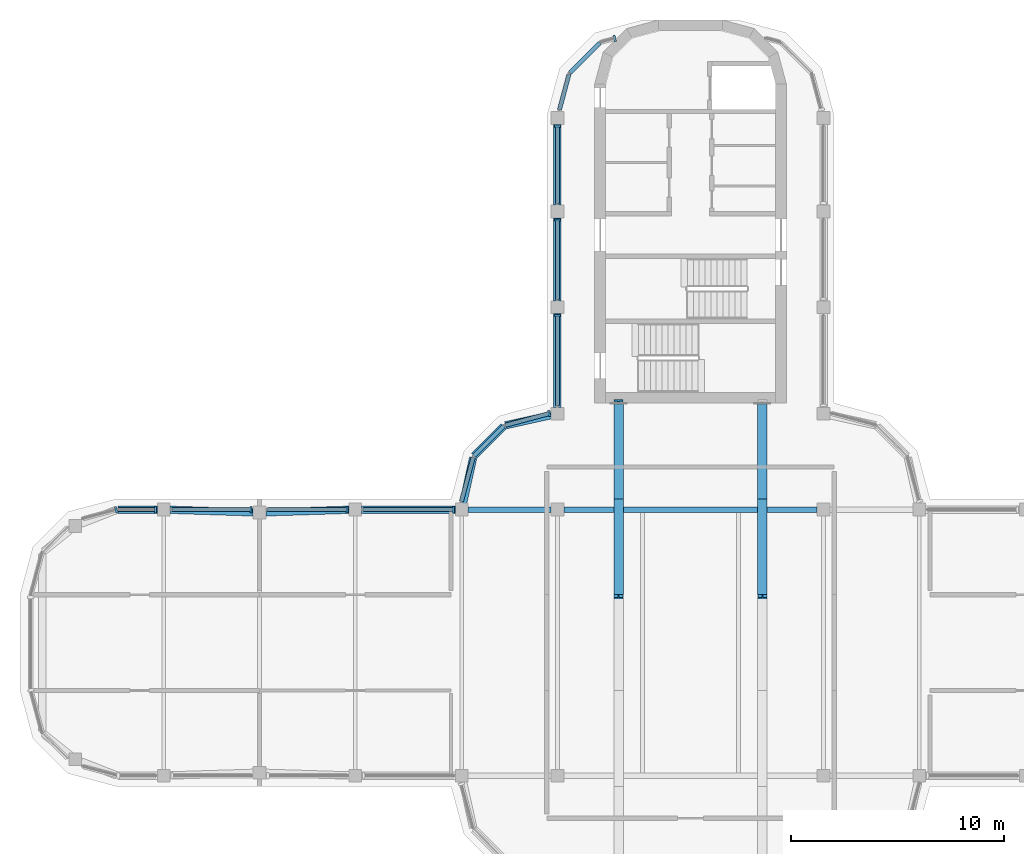
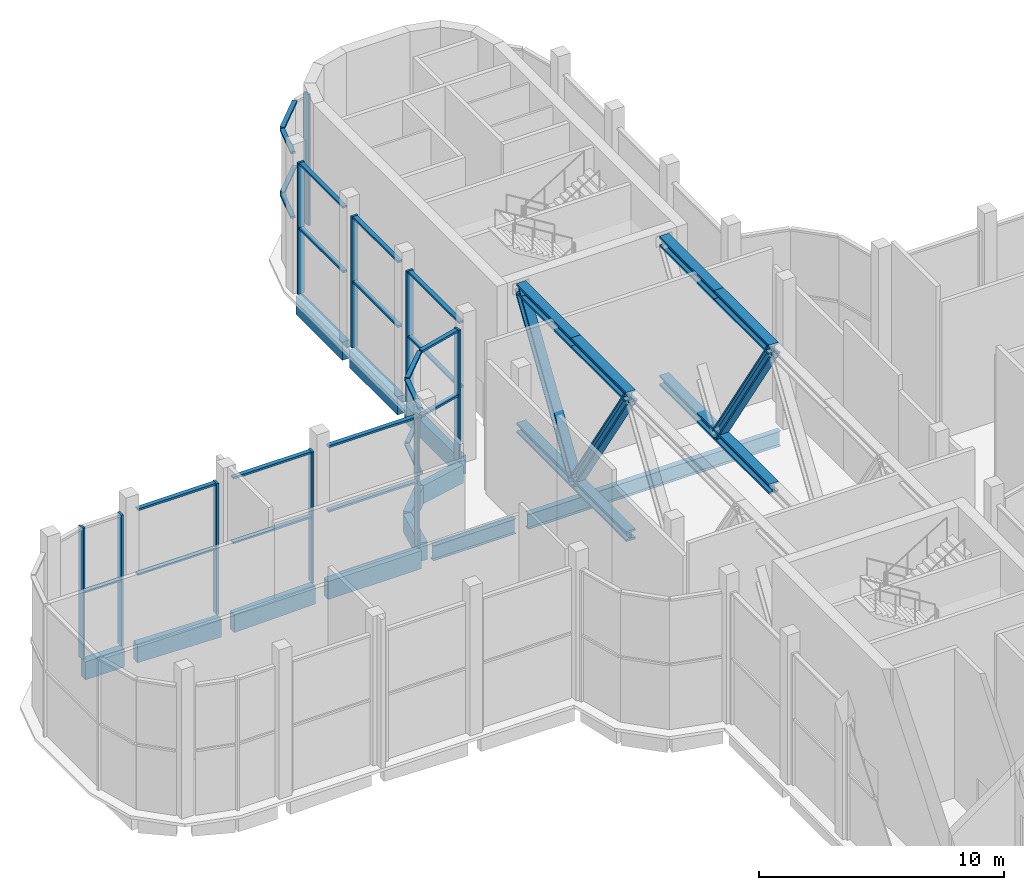
# One storey, part 5 of 15: 44 members, 12 beams, 9 elements without a shape of their own.
"""IFC4 building model written with IfcOpenShell, lengths in metres."""

from ifc_helpers import new_model, si_unit, direction, frame, origin, origin_2d, place, context, subcontext, project, spatial, polyline, rectangle, i_section, outline, extrude, source, transform, mapped, material, material_profile, profile_set, type_object, element, aggregate, save


model = new_model("IFC4")

# Units and contexts
model_context = context("Model", 3, precision=1e-05, world=origin(), true_north=direction((0.0, 1.0)))
body_context = subcontext(model_context, "Body", "Model", "MODEL_VIEW")
ifc_project = project(units=[si_unit("LENGTHUNIT", "METRE"), si_unit("AREAUNIT", "SQUARE_METRE"), si_unit("VOLUMEUNIT", "CUBIC_METRE"), si_unit("PLANEANGLEUNIT", "RADIAN"), si_unit("MASSUNIT", "GRAM", prefix="KILO")], contexts=[model_context])

# Site, building, storey
site_placement = place(None, origin())
site = spatial("IfcSite", under=ifc_project, at=site_placement, CompositionType="ELEMENT")
building_placement = place(site_placement, origin())
building = spatial("IfcBuilding", under=site, at=building_placement, Name="Zarbagh Exchange Tower", CompositionType="ELEMENT")
storey_placement = place(building_placement, frame((0.0, 0.0, 284.0)))
storey = spatial("IfcBuildingStorey", under=building, at=storey_placement, Name="L70", CompositionType="ELEMENT", Elevation=284.0)

# Beams
ifc_material_1 = material(Name="Steel ASTM A992 Gr 50", Category="steel")
ifc_material_profile_1 = material_profile(ifc_material_1, i_section(OverallWidth=0.26416015625, OverallDepth=0.749267578125, WebThickness=0.011962890625, FlangeThickness=0.015380859375, at=origin_2d()), Name="W30X90")
ifc_profile_set_1 = profile_set([ifc_material_profile_1], Name="Steel ASTM A992 Gr 50")
beam_type_1 = type_object("IfcBeamType", Name="Floor girder W30X90", PredefinedType="BEAM", material=ifc_profile_set_1)
beam_1_placement = place(storey_placement, frame((-10.449951171875, 6.25, -0.524658203125), z_axis=(1.0, 0.0, 0.0), x_axis=(0.0, 1.0, 0.0)))
element("IfcBeam", 1, at=beam_1_placement, inside=storey, type_object=beam_type_1, Name="Steel girder", PredefinedType="BEAM", context=body_context, shape_type="SweptSolid", body=[
    extrude(i_section(OverallWidth=0.26416015625, OverallDepth=0.749267578125, WebThickness=0.011962890625, FlangeThickness=0.015380859375, at=origin_2d()), origin(), (0.0, 0.0, 1.0), 3.89990234375),
])
beam_2_placement = place(storey_placement, frame((-5.949951171875, 6.25, -0.524658203125), z_axis=(1.0, 0.0, 0.0), x_axis=(0.0, 1.0, 0.0)))
element("IfcBeam", 2, at=beam_2_placement, inside=storey, type_object=beam_type_1, Name="Steel girder", PredefinedType="BEAM", context=body_context, shape_type="SweptSolid", body=[
    extrude(i_section(OverallWidth=0.26416015625, OverallDepth=0.749267578125, WebThickness=0.011962890625, FlangeThickness=0.015380859375, at=origin_2d()), origin(), (0.0, 0.0, 1.0), 11.89990234375),
])
ifc_material_2 = material(Name="Concrete C40/50", Category="concrete")
ifc_material_profile_2 = material_profile(ifc_material_2, rectangle(XDim=0.35009765625, YDim=0.89990234375, at=origin_2d()), Name="RC spandrel beam 350 x 900 C40/50")
ifc_profile_set_2 = profile_set([ifc_material_profile_2], Name="Concrete C40/50")
beam_type_2 = type_object("IfcBeamType", Name="RC spandrel beam 350 x 900 C40/50", PredefinedType="SPANDREL", material=ifc_profile_set_2)
beam_3_placement = place(storey_placement, frame((-26.90087890625, 6.25, -0.60009765625), z_axis=(1.0, 0.0, 0.0), x_axis=(0.0, 1.0, 0.0)))
element("IfcBeam", 3, at=beam_3_placement, inside=storey, type_object=beam_type_2, Name="RC spandrel beam", PredefinedType="SPANDREL", context=body_context, shape_type="SweptSolid", body=[
    extrude(rectangle(XDim=0.35009765625, YDim=0.89990234375, at=origin_2d()), origin(), (0.0, 0.0, 1.0), 1.850830078125),
])
for number, where, z_axis, x_axis, name in (
    (4, (-24.4501953125, 6.24072265625, -0.60009765625), (0.999516460907, -0.031094121249, 0.0), (0.031094121249, 0.999516460907, 0.0), "RC spandrel beam"),
    (5, (-19.9501953125, 6.119384765625, -0.60009765625), (0.999516460907, 0.031094121249, 0.0), (-0.031094121249, 0.999516460907, 0.0), "RC spandrel beam"),
):
    element("IfcBeam", number, at=place(storey_placement, frame(where, z_axis=z_axis, x_axis=x_axis)), inside=storey, type_object=beam_type_2, Name=name, PredefinedType="SPANDREL", context=body_context, shape_type="SweptSolid", body=[
        extrude(rectangle(XDim=0.35009765625, YDim=0.89990234375, at=origin_2d()), origin(), (0.0, 0.0, 1.0), 3.90234375),
    ])
beam_4_placement = place(storey_placement, frame((-15.449951171875, 6.25, -0.60009765625), z_axis=(1.0, 0.0, 0.0), x_axis=(0.0, 1.0, 0.0)))
element("IfcBeam", 6, at=beam_4_placement, inside=storey, type_object=beam_type_2, Name="RC spandrel beam", PredefinedType="SPANDREL", context=body_context, shape_type="SweptSolid", body=[
    extrude(rectangle(XDim=0.35009765625, YDim=0.89990234375, at=origin_2d()), origin(), (0.0, 0.0, 1.0), 4.39990234375),
])
beam_5_placement = place(storey_placement, frame((-10.685302734375, 6.54296875, -0.60009765625), z_axis=(0.216025770228, 0.976387662047, 0.0), x_axis=(-0.976387662047, 0.216025770228, 0.0)))
element("IfcBeam", 7, at=beam_5_placement, inside=storey, type_object=beam_type_2, Name="RC spandrel beam", PredefinedType="SPANDREL", context=body_context, shape_type="SweptSolid", body=[
    extrude(rectangle(XDim=0.35009765625, YDim=0.89990234375, at=origin_2d()), origin(), (0.0, 0.0, 1.0), 2.200439453125),
])
beam_6_placement = place(storey_placement, frame((-10.16259765625, 8.77734375, -0.60009765625), z_axis=(0.707106781187, 0.707106781187, 0.0), x_axis=(-0.707106781187, 0.707106781187, 0.0)))
element("IfcBeam", 8, at=beam_6_placement, inside=storey, type_object=beam_type_2, Name="RC spandrel beam", PredefinedType="SPANDREL", context=body_context, shape_type="SweptSolid", body=[
    extrude(rectangle(XDim=0.35009765625, YDim=0.89990234375, at=origin_2d()), origin(), (0.0, 0.0, 1.0), 1.958984375),
])
beam_7_placement = place(storey_placement, frame((-8.69140625, 10.2099609375, -0.60009765625), z_axis=(0.976387662047, 0.216025770228, 0.0), x_axis=(-0.216025770228, 0.976387662047, 0.0)))
element("IfcBeam", 9, at=beam_7_placement, inside=storey, type_object=beam_type_2, Name="RC spandrel beam", PredefinedType="SPANDREL", context=body_context, shape_type="SweptSolid", body=[
    extrude(rectangle(XDim=0.35009765625, YDim=0.89990234375, at=origin_2d()), origin(), (0.0, 0.0, 1.0), 2.200439453125),
])
beam_8_placement = place(storey_placement, frame((-6.25, 11.050048828125, -0.60009765625), z_axis=(0.0, 1.0, 0.0), x_axis=(-1.0, 0.0, 0.0)))
element("IfcBeam", 10, at=beam_8_placement, inside=storey, type_object=beam_type_2, Name="RC spandrel beam", PredefinedType="SPANDREL", context=body_context, shape_type="SweptSolid", body=[
    extrude(rectangle(XDim=0.35009765625, YDim=0.89990234375, at=origin_2d()), origin(), (0.0, 0.0, 1.0), 4.39990234375),
])
beam_9_placement = place(storey_placement, frame((-6.25, 16.050048828125, -0.60009765625), z_axis=(0.0, 1.0, 0.0), x_axis=(-1.0, 0.0, 0.0)))
element("IfcBeam", 11, at=beam_9_placement, inside=storey, type_object=beam_type_2, Name="RC spandrel beam", PredefinedType="SPANDREL", context=body_context, shape_type="SweptSolid", body=[
    extrude(rectangle(XDim=0.35009765625, YDim=0.89990234375, at=origin_2d()), origin(), (0.0, 0.0, 1.0), 3.89990234375),
])
beam_10_placement = place(storey_placement, frame((-6.25, 20.550048828125, -0.60009765625), z_axis=(0.0, 1.0, 0.0), x_axis=(-1.0, 0.0, 0.0)))
element("IfcBeam", 12, at=beam_10_placement, inside=storey, type_object=beam_type_2, Name="RC spandrel beam", PredefinedType="SPANDREL", context=body_context, shape_type="SweptSolid", body=[
    extrude(rectangle(XDim=0.35009765625, YDim=0.89990234375, at=origin_2d()), origin(), (0.0, 0.0, 1.0), 3.800048828125),
])

# Members
ifc_material_profile_3 = material_profile(ifc_material_1, i_section(OverallWidth=0.43701171875, OverallDepth=0.51318359375, WebThickness=0.060546875, FlangeThickness=0.096923828125, at=origin_2d()), Name="W14X550")
ifc_profile_set_3 = profile_set([ifc_material_profile_3], Name="Steel ASTM A992 Gr 50")
member_type_1 = type_object("IfcMemberType", Name="Tuned mass damper support truss chord W14X550", PredefinedType="CHORD", material=ifc_profile_set_3)
for number, where, z_axis, x_axis, name in (
    (13, (-3.375, 2.25, 0.256591796875), (0.0, 1.0, 0.0), (-1.0, 0.0, 0.0), "Tuned mass damper support truss chord"),
    (14, (-3.375, 2.25, 7.193603515625), (0.0, 1.0, 0.0), (-1.0, 0.0, 0.0), "Tuned mass damper support truss chord"),
):
    element("IfcMember", number, at=place(storey_placement, frame(where, z_axis=z_axis, x_axis=x_axis)), inside=storey, type_object=member_type_1, Name=name, PredefinedType="CHORD", context=body_context, shape_type="SweptSolid", body=[
        extrude(i_section(OverallWidth=0.43701171875, OverallDepth=0.51318359375, WebThickness=0.060546875, FlangeThickness=0.096923828125, at=origin_2d()), origin(), (0.0, 0.0, 1.0), 4.5),
    ])
for number, where, z_axis, x_axis, name in (
    (15, (-3.375, 6.75, 0.256591796875), (0.0, 1.0, 0.0), (-1.0, 0.0, 0.0), "Tuned mass damper support truss chord"),
    (16, (-3.375, 6.75, 7.193603515625), (0.0, 1.0, 0.0), (-1.0, 0.0, 0.0), "Tuned mass damper support truss chord"),
):
    element("IfcMember", number, at=place(storey_placement, frame(where, z_axis=z_axis, x_axis=x_axis)), inside=storey, type_object=member_type_1, Name=name, PredefinedType="CHORD", context=body_context, shape_type="SweptSolid", body=[
        extrude(i_section(OverallWidth=0.43701171875, OverallDepth=0.51318359375, WebThickness=0.060546875, FlangeThickness=0.096923828125, at=origin_2d()), origin(), (0.0, 0.0, 1.0), 4.469970703125),
    ])
for number, where, z_axis, x_axis, name in (
    (17, (3.375, 2.25, 0.256591796875), (0.0, 1.0, 0.0), (-1.0, 0.0, 0.0), "Tuned mass damper support truss chord"),
    (18, (3.375, 2.25, 7.193603515625), (0.0, 1.0, 0.0), (-1.0, 0.0, 0.0), "Tuned mass damper support truss chord"),
):
    element("IfcMember", number, at=place(storey_placement, frame(where, z_axis=z_axis, x_axis=x_axis)), inside=storey, type_object=member_type_1, Name=name, PredefinedType="CHORD", context=body_context, shape_type="SweptSolid", body=[
        extrude(i_section(OverallWidth=0.43701171875, OverallDepth=0.51318359375, WebThickness=0.060546875, FlangeThickness=0.096923828125, at=origin_2d()), origin(), (0.0, 0.0, 1.0), 4.5),
    ])
for number, where, z_axis, x_axis, name in (
    (19, (3.375, 6.75, 0.256591796875), (0.0, 1.0, 0.0), (-1.0, 0.0, 0.0), "Tuned mass damper support truss chord"),
    (20, (3.375, 6.75, 7.193603515625), (0.0, 1.0, 0.0), (-1.0, 0.0, 0.0), "Tuned mass damper support truss chord"),
):
    element("IfcMember", number, at=place(storey_placement, frame(where, z_axis=z_axis, x_axis=x_axis)), inside=storey, type_object=member_type_1, Name=name, PredefinedType="CHORD", context=body_context, shape_type="SweptSolid", body=[
        extrude(i_section(OverallWidth=0.43701171875, OverallDepth=0.51318359375, WebThickness=0.060546875, FlangeThickness=0.096923828125, at=origin_2d()), origin(), (0.0, 0.0, 1.0), 4.469970703125),
    ])
ifc_material_profile_4 = material_profile(ifc_material_1, i_section(OverallWidth=0.421630859375, OverallDepth=0.46484375, WebThickness=0.044921875, FlangeThickness=0.072509765625, at=origin_2d()), Name="W14X398")
ifc_profile_set_4 = profile_set([ifc_material_profile_4], Name="Steel ASTM A992 Gr 50")
member_type_2 = type_object("IfcMemberType", Name="Tuned mass damper support truss diagonal W14X398", PredefinedType="BRACE", material=ifc_profile_set_4)
member_1_placement = place(storey_placement, frame((-3.375, 6.75, 0.256591796875), z_axis=(0.0, -0.544218065064, 0.838943798867), x_axis=(1.0, 0.0, 0.0)))
element("IfcMember", 21, at=member_1_placement, inside=storey, type_object=member_type_2, Name="Tuned mass damper support truss diagonal", PredefinedType="BRACE", context=body_context, shape_type="SweptSolid", body=[
    extrude(i_section(OverallWidth=0.421630859375, OverallDepth=0.46484375, WebThickness=0.044921875, FlangeThickness=0.072509765625, at=origin_2d()), origin(), (0.0, 0.0, 1.0), 8.268798828125),
])
member_2_placement = place(storey_placement, frame((-3.375, 6.75, 0.256591796875), z_axis=(0.0, 0.541654417489, 0.840601268149), x_axis=(-1.0, 0.0, 0.0)))
element("IfcMember", 22, at=member_2_placement, inside=storey, type_object=member_type_2, Name="Tuned mass damper support truss diagonal", PredefinedType="BRACE", context=body_context, shape_type="SweptSolid", body=[
    extrude(i_section(OverallWidth=0.421630859375, OverallDepth=0.46484375, WebThickness=0.044921875, FlangeThickness=0.072509765625, at=origin_2d()), origin(), (0.0, 0.0, 1.0), 8.25244140625),
])
member_3_placement = place(storey_placement, frame((3.375, 6.75, 0.256591796875), z_axis=(0.0, -0.544218065064, 0.838943798867), x_axis=(1.0, 0.0, 0.0)))
element("IfcMember", 23, at=member_3_placement, inside=storey, type_object=member_type_2, Name="Tuned mass damper support truss diagonal", PredefinedType="BRACE", context=body_context, shape_type="SweptSolid", body=[
    extrude(i_section(OverallWidth=0.421630859375, OverallDepth=0.46484375, WebThickness=0.044921875, FlangeThickness=0.072509765625, at=origin_2d()), origin(), (0.0, 0.0, 1.0), 8.268798828125),
])

# Curtain wall, member
ifc_material_3 = material(Name="Anodised aluminium frame and glazing", Category="aluminium")
curtain_wall_type = type_object("IfcCurtainWallType", Name="CWE Damper-floor glazed wall", PredefinedType="NOTDEFINED", material=ifc_material_3)
curtain_wall_1_placement = place(storey_placement, origin())
curtain_wall_1 = element("IfcCurtainWall", 24, at=curtain_wall_1_placement, inside=storey, type_object=curtain_wall_type, Name="CWE24 curtain wall", PredefinedType="NOTDEFINED")
ifc_material_4 = material(Name="Anodised aluminium frame", Category="aluminium")
member_type_3 = type_object("IfcMemberType", Name="MUE Mullion, anodised aluminium frame", PredefinedType="MULLION", material=ifc_material_4)
shared_shape_1 = source(origin(), body_context, "Body", "SweptSolid", [
    extrude(outline(polyline([(0.0, -0.14990234375), (0.10009765625, -0.14990234375), (0.10009765625, 0.14990234375), (0.0, 0.14990234375), (0.0, -0.14990234375)])), origin(), (0.0, 0.0, 1.0), 6.550048828125),
])
placement = place(storey_placement, origin())
member_4 = element("IfcMember", 25, at=placement, type_object=member_type_3, Name="CWE24 mullion 1.1", PredefinedType="MULLION", context=body_context, shape_type="MappedRepresentation", body=[
    mapped(shared_shape_1, transform((-3.510009765625, 28.394775390625, 0.0), x_axis=(-0.965924289636, -0.258824779902, 0.0), y_axis=(0.258824779902, -0.965924289636, 0.0), z_axis=(0.0, 0.0, 1.0))),
])
aggregate(curtain_wall_1, [member_4])

# Curtain wall, members
curtain_wall_2_placement = place(storey_placement, origin())
curtain_wall_2 = element("IfcCurtainWall", 26, at=curtain_wall_2_placement, inside=storey, type_object=curtain_wall_type, Name="CWE27 curtain wall", PredefinedType="NOTDEFINED")
member_5 = element("IfcMember", 27, at=placement, type_object=member_type_3, Name="CWE27 mullion 1.1", PredefinedType="MULLION", context=body_context, shape_type="MappedRepresentation", body=[
    mapped(shared_shape_1, transform((-6.25, 24.31005859375, 0.0), x_axis=(0.0, -1.0, 0.0), y_axis=(1.0, 0.0, 0.0), z_axis=(0.0, 0.0, 1.0))),
])
member_6 = element("IfcMember", 28, at=placement, type_object=member_type_3, Name="CWE27 mullion 2.1", PredefinedType="MULLION", context=body_context, shape_type="MappedRepresentation", body=[
    mapped(shared_shape_1, transform((-6.25, 19.909912109375, 0.0), x_axis=(0.0, -1.0, 0.0), y_axis=(1.0, 0.0, 0.0), z_axis=(0.0, 0.0, 1.0))),
])
member_7 = element("IfcMember", 29, at=placement, type_object=member_type_3, Name="CWE27 mullion 3.1", PredefinedType="MULLION", context=body_context, shape_type="MappedRepresentation", body=[
    mapped(shared_shape_1, transform((-6.25, 15.409912109375, 0.0), x_axis=(0.0, -1.0, 0.0), y_axis=(1.0, 0.0, 0.0), z_axis=(0.0, 0.0, 1.0))),
])

# Curtain wall, member
curtain_wall_3_placement = place(storey_placement, origin())
curtain_wall_3 = element("IfcCurtainWall", 30, at=curtain_wall_3_placement, inside=storey, type_object=curtain_wall_type, Name="CWE28 curtain wall", PredefinedType="NOTDEFINED")
member_8 = element("IfcMember", 31, at=placement, type_object=member_type_3, Name="CWE28 mullion 1.1", PredefinedType="MULLION", context=body_context, shape_type="MappedRepresentation", body=[
    mapped(shared_shape_1, transform((-6.590087890625, 10.775146484375, 0.0), x_axis=(-0.965924289636, -0.258824779902, 0.0), y_axis=(0.258824779902, -0.965924289636, 0.0), z_axis=(0.0, 0.0, 1.0))),
])

# Curtain wall, members
curtain_wall_4_placement = place(storey_placement, origin())
curtain_wall_4 = element("IfcCurtainWall", 32, at=curtain_wall_4_placement, inside=storey, type_object=curtain_wall_type, Name="CWE31 curtain wall", PredefinedType="NOTDEFINED")
member_9 = element("IfcMember", 33, at=placement, type_object=member_type_3, Name="CWE31 mullion 1.1", PredefinedType="MULLION", context=body_context, shape_type="MappedRepresentation", body=[
    mapped(shared_shape_1, transform((-11.090087890625, 6.25, 0.0), x_axis=(-1.0, 0.0, 0.0), y_axis=(0.0, -1.0, 0.0), z_axis=(0.0, 0.0, 1.0))),
])
member_10 = element("IfcMember", 34, at=placement, type_object=member_type_3, Name="CWE31 mullion 2.1", PredefinedType="MULLION", context=body_context, shape_type="MappedRepresentation", body=[
    mapped(shared_shape_1, transform((-16.090087890625, 6.25, 0.0), x_axis=(-1.0, 0.0, 0.0), y_axis=(0.0, -1.0, 0.0), z_axis=(0.0, 0.0, 1.0))),
])
member_11 = element("IfcMember", 35, at=placement, type_object=member_type_3, Name="CWE31 mullion 3.1", PredefinedType="MULLION", context=body_context, shape_type="MappedRepresentation", body=[
    mapped(shared_shape_1, transform((-20.590087890625, 6.25, 0.0), x_axis=(-1.0, 0.0, 0.0), y_axis=(0.0, -1.0, 0.0), z_axis=(0.0, 0.0, 1.0))),
])
member_12 = element("IfcMember", 36, at=placement, type_object=member_type_3, Name="CWE31 mullion 4.1", PredefinedType="MULLION", context=body_context, shape_type="MappedRepresentation", body=[
    mapped(shared_shape_1, transform((-25.090087890625, 6.25, 0.0), x_axis=(-1.0, 0.0, 0.0), y_axis=(0.0, -1.0, 0.0), z_axis=(0.0, 0.0, 1.0))),
])

# Curtain wall, member
curtain_wall_5_placement = place(storey_placement, origin())
curtain_wall_5 = element("IfcCurtainWall", 37, at=curtain_wall_5_placement, inside=storey, type_object=curtain_wall_type, Name="CWE32 curtain wall", PredefinedType="NOTDEFINED")
member_13 = element("IfcMember", 38, at=placement, type_object=member_type_3, Name="CWE32 mullion 1.1", PredefinedType="MULLION", context=body_context, shape_type="MappedRepresentation", body=[
    mapped(shared_shape_1, transform((-26.93408203125, 6.25, 0.0), x_axis=(-0.965924289636, -0.258824779902, 0.0), y_axis=(0.258824779902, -0.965924289636, 0.0), z_axis=(0.0, 0.0, 1.0))),
])
aggregate(curtain_wall_5, [member_13])

curtain_wall_6_placement = place(storey_placement, origin())
curtain_wall_6 = element("IfcCurtainWall", 39, at=curtain_wall_6_placement, inside=storey, type_object=curtain_wall_type, Name="CWE25 curtain wall", PredefinedType="NOTDEFINED")
member_type_4 = type_object("IfcMemberType", Name="TRE Transom, anodised aluminium frame", PredefinedType="USERDEFINED", material=ifc_material_4)
shared_shape_2 = source(origin(), body_context, "Body", "SweptSolid", [
    extrude(outline(polyline([(-0.10009765625, -0.10009765625), (0.0, -0.10009765625), (0.0, 0.10009765625), (-0.10009765625, 0.10009765625), (-0.10009765625, -0.10009765625)])), origin(), (0.0, 0.0, 1.0), 1.9814453125),
])
member_14 = element("IfcMember", 40, at=placement, type_object=member_type_4, Name="CWE25 transom 1.1", ObjectType="TRANSOM", PredefinedType="USERDEFINED", context=body_context, shape_type="MappedRepresentation", body=[
    mapped(shared_shape_2, transform((-4.26953125, 28.17041015625, 6.550048828125), x_axis=(0.0, 0.0, 1.0), y_axis=(-0.707106781187, 0.707106781187, 0.0), z_axis=(-0.707106781187, -0.707106781187, 0.0))),
])

curtain_wall_7_placement = place(storey_placement, origin())
curtain_wall_7 = element("IfcCurtainWall", 41, at=curtain_wall_7_placement, inside=storey, type_object=curtain_wall_type, Name="CWE29 curtain wall", PredefinedType="NOTDEFINED")
member_15 = element("IfcMember", 42, at=placement, type_object=member_type_4, Name="CWE29 transom 1.1", ObjectType="TRANSOM", PredefinedType="USERDEFINED", context=body_context, shape_type="MappedRepresentation", body=[
    mapped(shared_shape_2, transform((-8.76953125, 10.17041015625, 6.550048828125), x_axis=(0.0, 0.0, 1.0), y_axis=(-0.707106781187, 0.707106781187, 0.0), z_axis=(-0.707106781187, -0.707106781187, 0.0))),
])

# Member
shared_shape_3 = source(origin(), body_context, "Body", "SweptSolid", [
    extrude(outline(polyline([(-0.050048828125, -0.10009765625), (0.050048828125, -0.10009765625), (0.050048828125, 0.10009765625), (-0.050048828125, 0.10009765625), (-0.050048828125, -0.10009765625)])), origin(), (0.0, 0.0, 1.0), 1.9814453125),
])
member_16 = element("IfcMember", 43, at=placement, type_object=member_type_4, Name="CWE25 mid transom 1", ObjectType="TRANSOM", PredefinedType="USERDEFINED", context=body_context, shape_type="MappedRepresentation", body=[
    mapped(shared_shape_3, transform((-4.26953125, 28.17041015625, 3.27490234375), x_axis=(0.0, 0.0, 1.0), y_axis=(-0.707106781187, 0.707106781187, 0.0), z_axis=(-0.707106781187, -0.707106781187, 0.0))),
])

aggregate(curtain_wall_6, [member_14, member_16])

member_17 = element("IfcMember", 44, at=placement, type_object=member_type_4, Name="CWE29 mid transom 1", ObjectType="TRANSOM", PredefinedType="USERDEFINED", context=body_context, shape_type="MappedRepresentation", body=[
    mapped(shared_shape_3, transform((-8.76953125, 10.17041015625, 3.27490234375), x_axis=(0.0, 0.0, 1.0), y_axis=(-0.707106781187, 0.707106781187, 0.0), z_axis=(-0.707106781187, -0.707106781187, 0.0))),
])

aggregate(curtain_wall_7, [member_15, member_17])

# Curtain wall, members
curtain_wall_8_placement = place(storey_placement, origin())
curtain_wall_8 = element("IfcCurtainWall", 45, at=curtain_wall_8_placement, inside=storey, type_object=curtain_wall_type, Name="CWE26 curtain wall", PredefinedType="NOTDEFINED")
shared_shape_4 = source(origin(), body_context, "Body", "SweptSolid", [
    extrude(outline(polyline([(-0.10009765625, -0.10009765625), (0.0, -0.10009765625), (0.0, 0.10009765625), (-0.10009765625, 0.10009765625), (-0.10009765625, -0.10009765625)])), origin(), (0.0, 0.0, 1.0), 1.73291015625),
])
member_18 = element("IfcMember", 46, at=placement, type_object=member_type_4, Name="CWE26 transom 1.1", ObjectType="TRANSOM", PredefinedType="USERDEFINED", context=body_context, shape_type="MappedRepresentation", body=[
    mapped(shared_shape_4, transform((-5.709228515625, 26.70263671875, 6.550048828125), x_axis=(0.0, 0.0, 1.0), y_axis=(-0.965924289636, 0.258824779902, 0.0), z_axis=(-0.258824779902, -0.965924289636, 0.0))),
])
shared_shape_5 = source(origin(), body_context, "Body", "SweptSolid", [
    extrude(outline(polyline([(-0.050048828125, -0.10009765625), (0.050048828125, -0.10009765625), (0.050048828125, 0.10009765625), (-0.050048828125, 0.10009765625), (-0.050048828125, -0.10009765625)])), origin(), (0.0, 0.0, 1.0), 1.73291015625),
])
member_19 = element("IfcMember", 47, at=placement, type_object=member_type_4, Name="CWE26 mid transom 1", ObjectType="TRANSOM", PredefinedType="USERDEFINED", context=body_context, shape_type="MappedRepresentation", body=[
    mapped(shared_shape_5, transform((-5.709228515625, 26.70263671875, 3.27490234375), x_axis=(0.0, 0.0, 1.0), y_axis=(-0.965924289636, 0.258824779902, 0.0), z_axis=(-0.258824779902, -0.965924289636, 0.0))),
])
aggregate(curtain_wall_8, [member_18, member_19])

# Member
shared_shape_6 = source(origin(), body_context, "Body", "SweptSolid", [
    extrude(outline(polyline([(-0.10009765625, -0.10009765625), (0.0, -0.10009765625), (0.0, 0.10009765625), (-0.10009765625, 0.10009765625), (-0.10009765625, -0.10009765625)])), origin(), (0.0, 0.0, 1.0), 3.639892578125),
])
member_20 = element("IfcMember", 48, at=placement, type_object=member_type_4, Name="CWE27 transom 1.1", ObjectType="TRANSOM", PredefinedType="USERDEFINED", context=body_context, shape_type="MappedRepresentation", body=[
    mapped(shared_shape_6, transform((-6.25, 24.27001953125, 6.550048828125), x_axis=(0.0, 0.0, 1.0), y_axis=(-1.0, 0.0, 0.0), z_axis=(0.0, -1.0, 0.0))),
])

shared_shape_7 = source(origin(), body_context, "Body", "SweptSolid", [
    extrude(outline(polyline([(-0.050048828125, -0.10009765625), (0.050048828125, -0.10009765625), (0.050048828125, 0.10009765625), (-0.050048828125, 0.10009765625), (-0.050048828125, -0.10009765625)])), origin(), (0.0, 0.0, 1.0), 3.639892578125),
])
member_21 = element("IfcMember", 49, at=placement, type_object=member_type_4, Name="CWE27 mid transom 1", ObjectType="TRANSOM", PredefinedType="USERDEFINED", context=body_context, shape_type="MappedRepresentation", body=[
    mapped(shared_shape_7, transform((-6.25, 24.27001953125, 3.27490234375), x_axis=(0.0, 0.0, 1.0), y_axis=(-1.0, 0.0, 0.0), z_axis=(0.0, -1.0, 0.0))),
])

shared_shape_8 = source(origin(), body_context, "Body", "SweptSolid", [
    extrude(outline(polyline([(-0.10009765625, -0.10009765625), (0.0, -0.10009765625), (0.0, 0.10009765625), (-0.10009765625, 0.10009765625), (-0.10009765625, -0.10009765625)])), origin(), (0.0, 0.0, 1.0), 3.739990234375),
])
member_22 = element("IfcMember", 50, at=placement, type_object=member_type_4, Name="CWE27 transom 2.1", ObjectType="TRANSOM", PredefinedType="USERDEFINED", context=body_context, shape_type="MappedRepresentation", body=[
    mapped(shared_shape_8, transform((-6.25, 19.869873046875, 6.550048828125), x_axis=(0.0, 0.0, 1.0), y_axis=(-1.0, 0.0, 0.0), z_axis=(0.0, -1.0, 0.0))),
])

member_23 = element("IfcMember", 51, at=placement, type_object=member_type_4, Name="CWE31 transom 2.1", ObjectType="TRANSOM", PredefinedType="USERDEFINED", context=body_context, shape_type="MappedRepresentation", body=[
    mapped(shared_shape_8, transform((-16.130126953125, 6.25, 6.550048828125), x_axis=(0.0, 0.0, 1.0), y_axis=(0.0, 1.0, 0.0), z_axis=(-1.0, 0.0, 0.0))),
])

member_24 = element("IfcMember", 52, at=placement, type_object=member_type_4, Name="CWE31 transom 3.1", ObjectType="TRANSOM", PredefinedType="USERDEFINED", context=body_context, shape_type="MappedRepresentation", body=[
    mapped(shared_shape_8, transform((-20.630126953125, 6.25, 6.550048828125), x_axis=(0.0, 0.0, 1.0), y_axis=(0.0, 1.0, 0.0), z_axis=(-1.0, 0.0, 0.0))),
])

shared_shape_9 = source(origin(), body_context, "Body", "SweptSolid", [
    extrude(outline(polyline([(-0.050048828125, -0.10009765625), (0.050048828125, -0.10009765625), (0.050048828125, 0.10009765625), (-0.050048828125, 0.10009765625), (-0.050048828125, -0.10009765625)])), origin(), (0.0, 0.0, 1.0), 3.739990234375),
])
member_25 = element("IfcMember", 53, at=placement, type_object=member_type_4, Name="CWE27 mid transom 2", ObjectType="TRANSOM", PredefinedType="USERDEFINED", context=body_context, shape_type="MappedRepresentation", body=[
    mapped(shared_shape_9, transform((-6.25, 19.869873046875, 3.27490234375), x_axis=(0.0, 0.0, 1.0), y_axis=(-1.0, 0.0, 0.0), z_axis=(0.0, -1.0, 0.0))),
])

member_26 = element("IfcMember", 54, at=placement, type_object=member_type_4, Name="CWE31 mid transom 2", ObjectType="TRANSOM", PredefinedType="USERDEFINED", context=body_context, shape_type="MappedRepresentation", body=[
    mapped(shared_shape_9, transform((-16.130126953125, 6.25, 3.27490234375), x_axis=(0.0, 0.0, 1.0), y_axis=(0.0, 1.0, 0.0), z_axis=(-1.0, 0.0, 0.0))),
])

member_27 = element("IfcMember", 55, at=placement, type_object=member_type_4, Name="CWE31 mid transom 3", ObjectType="TRANSOM", PredefinedType="USERDEFINED", context=body_context, shape_type="MappedRepresentation", body=[
    mapped(shared_shape_9, transform((-20.630126953125, 6.25, 3.27490234375), x_axis=(0.0, 0.0, 1.0), y_axis=(0.0, 1.0, 0.0), z_axis=(-1.0, 0.0, 0.0))),
])

shared_shape_10 = source(origin(), body_context, "Body", "SweptSolid", [
    extrude(outline(polyline([(-0.10009765625, -0.10009765625), (0.0, -0.10009765625), (0.0, 0.10009765625), (-0.10009765625, 0.10009765625), (-0.10009765625, -0.10009765625)])), origin(), (0.0, 0.0, 1.0), 4.239990234375),
])
member_28 = element("IfcMember", 56, at=placement, type_object=member_type_4, Name="CWE27 transom 3.1", ObjectType="TRANSOM", PredefinedType="USERDEFINED", context=body_context, shape_type="MappedRepresentation", body=[
    mapped(shared_shape_10, transform((-6.25, 15.369873046875, 6.550048828125), x_axis=(0.0, 0.0, 1.0), y_axis=(-1.0, 0.0, 0.0), z_axis=(0.0, -1.0, 0.0))),
])

member_29 = element("IfcMember", 57, at=placement, type_object=member_type_4, Name="CWE31 transom 1.1", ObjectType="TRANSOM", PredefinedType="USERDEFINED", context=body_context, shape_type="MappedRepresentation", body=[
    mapped(shared_shape_10, transform((-11.130126953125, 6.25, 6.550048828125), x_axis=(0.0, 0.0, 1.0), y_axis=(0.0, 1.0, 0.0), z_axis=(-1.0, 0.0, 0.0))),
])

shared_shape_11 = source(origin(), body_context, "Body", "SweptSolid", [
    extrude(outline(polyline([(-0.050048828125, -0.10009765625), (0.050048828125, -0.10009765625), (0.050048828125, 0.10009765625), (-0.050048828125, 0.10009765625), (-0.050048828125, -0.10009765625)])), origin(), (0.0, 0.0, 1.0), 4.239990234375),
])
member_30 = element("IfcMember", 58, at=placement, type_object=member_type_4, Name="CWE27 mid transom 3", ObjectType="TRANSOM", PredefinedType="USERDEFINED", context=body_context, shape_type="MappedRepresentation", body=[
    mapped(shared_shape_11, transform((-6.25, 15.369873046875, 3.27490234375), x_axis=(0.0, 0.0, 1.0), y_axis=(-1.0, 0.0, 0.0), z_axis=(0.0, -1.0, 0.0))),
])

aggregate(curtain_wall_2, [member_5, member_20, member_21, member_6, member_22, member_25, member_7, member_28, member_30])

member_31 = element("IfcMember", 59, at=placement, type_object=member_type_4, Name="CWE31 mid transom 1", ObjectType="TRANSOM", PredefinedType="USERDEFINED", context=body_context, shape_type="MappedRepresentation", body=[
    mapped(shared_shape_11, transform((-11.130126953125, 6.25, 3.27490234375), x_axis=(0.0, 0.0, 1.0), y_axis=(0.0, 1.0, 0.0), z_axis=(-1.0, 0.0, 0.0))),
])

shared_shape_12 = source(origin(), body_context, "Body", "SweptSolid", [
    extrude(outline(polyline([(-0.10009765625, -0.10009765625), (0.0, -0.10009765625), (0.0, 0.10009765625), (-0.10009765625, 0.10009765625), (-0.10009765625, -0.10009765625)])), origin(), (0.0, 0.0, 1.0), 2.147216796875),
])
member_32 = element("IfcMember", 60, at=placement, type_object=member_type_4, Name="CWE28 transom 1.1", ObjectType="TRANSOM", PredefinedType="USERDEFINED", context=body_context, shape_type="MappedRepresentation", body=[
    mapped(shared_shape_12, transform((-6.628662109375, 10.764892578125, 6.550048828125), x_axis=(0.0, 0.0, 1.0), y_axis=(-0.258824779902, 0.965924289636, 0.0), z_axis=(-0.965924289636, -0.258824779902, 0.0))),
])

# Curtain wall, member
curtain_wall_9_placement = place(storey_placement, origin())
curtain_wall_9 = element("IfcCurtainWall", 61, at=curtain_wall_9_placement, inside=storey, type_object=curtain_wall_type, Name="CWE30 curtain wall", PredefinedType="NOTDEFINED")
member_33 = element("IfcMember", 62, at=placement, type_object=member_type_4, Name="CWE30 transom 1.1", ObjectType="TRANSOM", PredefinedType="USERDEFINED", context=body_context, shape_type="MappedRepresentation", body=[
    mapped(shared_shape_12, transform((-10.209228515625, 8.70263671875, 6.550048828125), x_axis=(0.0, 0.0, 1.0), y_axis=(-0.965924289636, 0.258824779902, 0.0), z_axis=(-0.258824779902, -0.965924289636, 0.0))),
])

# Member
shared_shape_13 = source(origin(), body_context, "Body", "SweptSolid", [
    extrude(outline(polyline([(-0.050048828125, -0.10009765625), (0.050048828125, -0.10009765625), (0.050048828125, 0.10009765625), (-0.050048828125, 0.10009765625), (-0.050048828125, -0.10009765625)])), origin(), (0.0, 0.0, 1.0), 2.147216796875),
])
member_34 = element("IfcMember", 63, at=placement, type_object=member_type_4, Name="CWE28 mid transom 1", ObjectType="TRANSOM", PredefinedType="USERDEFINED", context=body_context, shape_type="MappedRepresentation", body=[
    mapped(shared_shape_13, transform((-6.628662109375, 10.764892578125, 3.27490234375), x_axis=(0.0, 0.0, 1.0), y_axis=(-0.258824779902, 0.965924289636, 0.0), z_axis=(-0.965924289636, -0.258824779902, 0.0))),
])

aggregate(curtain_wall_3, [member_8, member_32, member_34])

member_35 = element("IfcMember", 64, at=placement, type_object=member_type_4, Name="CWE30 mid transom 1", ObjectType="TRANSOM", PredefinedType="USERDEFINED", context=body_context, shape_type="MappedRepresentation", body=[
    mapped(shared_shape_13, transform((-10.209228515625, 8.70263671875, 3.27490234375), x_axis=(0.0, 0.0, 1.0), y_axis=(-0.965924289636, 0.258824779902, 0.0), z_axis=(-0.258824779902, -0.965924289636, 0.0))),
])

aggregate(curtain_wall_9, [member_33, member_35])

shared_shape_14 = source(origin(), body_context, "Body", "SweptSolid", [
    extrude(outline(polyline([(-0.050048828125, -0.10009765625), (0.050048828125, -0.10009765625), (0.050048828125, 0.10009765625), (-0.050048828125, 0.10009765625), (-0.050048828125, -0.10009765625)])), origin(), (0.0, 0.0, 1.0), 1.76416015625),
])
member_36 = element("IfcMember", 65, at=placement, type_object=member_type_4, Name="CWE31 mid transom 4", ObjectType="TRANSOM", PredefinedType="USERDEFINED", context=body_context, shape_type="MappedRepresentation", body=[
    mapped(shared_shape_14, transform((-25.130126953125, 6.25, 3.27490234375), x_axis=(0.0, 0.0, 1.0), y_axis=(0.0, 1.0, 0.0), z_axis=(-1.0, 0.0, 0.0))),
])

aggregate(curtain_wall_4, [member_9, member_29, member_31, member_10, member_23, member_26, member_11, member_24, member_27, member_12, member_36])

save(model, "model.ifc")
